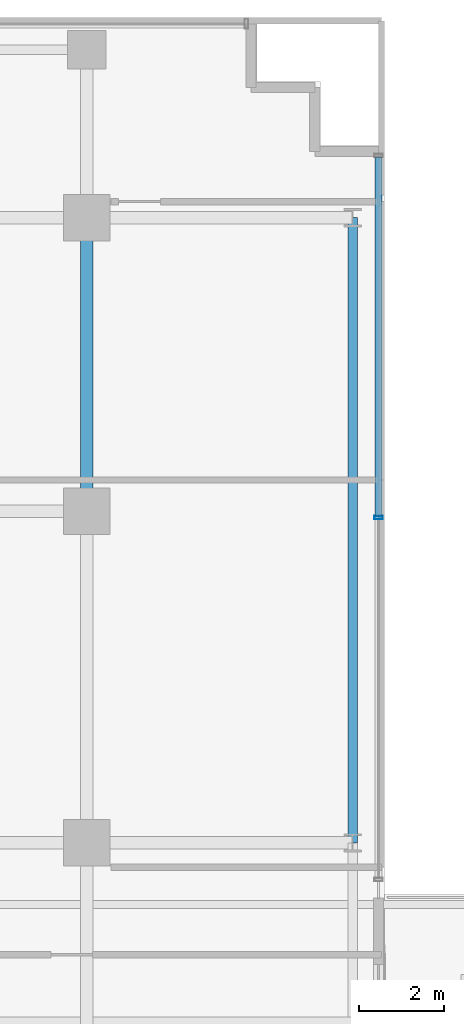
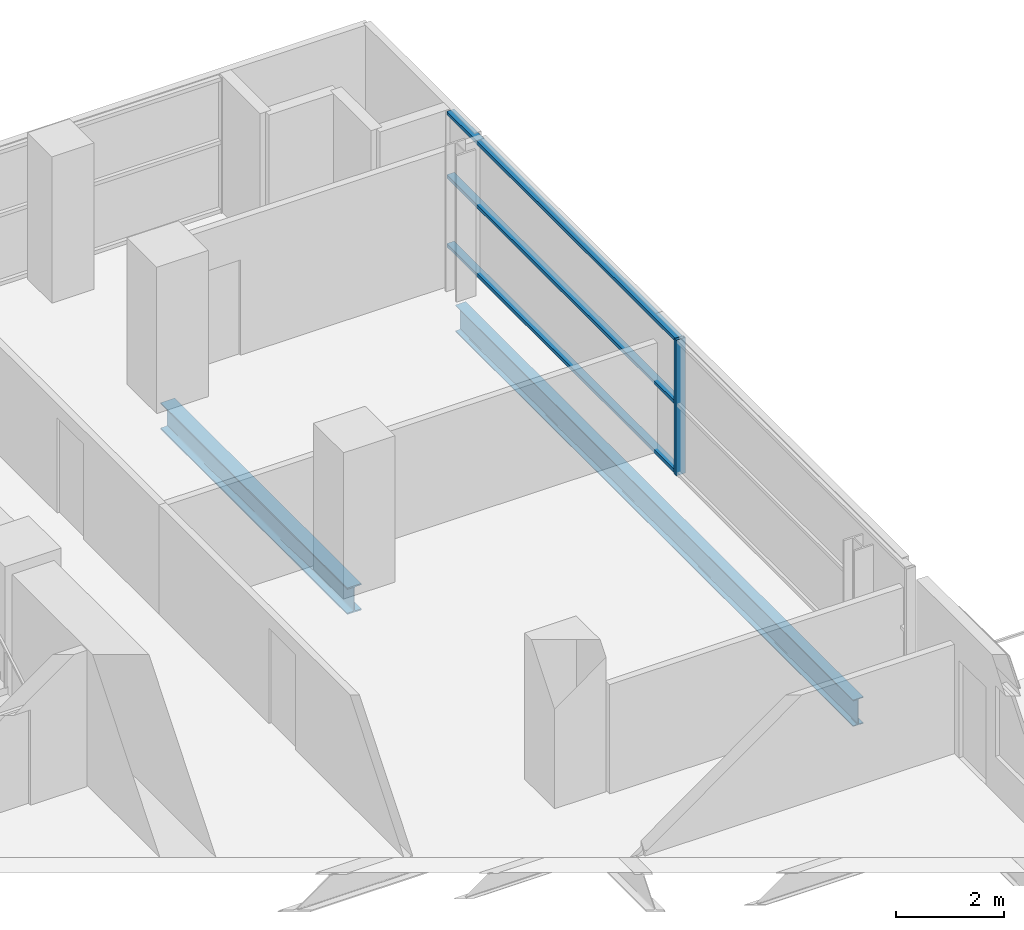
# One storey, part 15 of 29: 4 members, 2 beams, 1 element without a shape of its own.
"""IFC4 building model written with IfcOpenShell, lengths in metres."""

from ifc_helpers import new_model, si_unit, direction, frame, origin, origin_2d, place, context, subcontext, project, spatial, hollow_rectangle, i_section, extrude, source, transform, mapped, material, layer, layer_set, material_profile, profile_set, type_object, element, aggregate, save


model = new_model("IFC4")

# Units and contexts
model_context = context("Model", 3, precision=1e-05, world=origin(), true_north=direction((0.0, 1.0)))
body_context = subcontext(model_context, "Body", "Model", "MODEL_VIEW")
ifc_project = project(units=[si_unit("LENGTHUNIT", "METRE"), si_unit("AREAUNIT", "SQUARE_METRE"), si_unit("VOLUMEUNIT", "CUBIC_METRE"), si_unit("PLANEANGLEUNIT", "RADIAN"), si_unit("MASSUNIT", "GRAM", prefix="KILO")], contexts=[model_context])

# Site, building, storey
site_placement = place(None, origin())
site = spatial("IfcSite", under=ifc_project, at=site_placement, CompositionType="ELEMENT")
building_placement = place(site_placement, origin())
building = spatial("IfcBuilding", under=site, at=building_placement, Name="Zarnakvel Exchange Tower", CompositionType="ELEMENT")
storey_placement = place(building_placement, frame((0.0, 0.0, 37.300048828125)))
storey = spatial("IfcBuildingStorey", under=building, at=storey_placement, Name="L09", CompositionType="ELEMENT", Elevation=37.300048828125)

# Beams
ifc_material_1 = material(Name="Steel S355", Category="steel")
ifc_material_profile_1 = material_profile(ifc_material_1, i_section(OverallWidth=0.300048828125, OverallDepth=0.60009765625, WebThickness=0.015380859375, FlangeThickness=0.030029296875, FilletRadius=0.027099609375, at=origin_2d()))
ifc_profile_set_1 = profile_set([ifc_material_profile_1], Name="Steel S355")
beam_type_1 = type_object("IfcBeamType", Name="G-04", PredefinedType="BEAM", material=ifc_profile_set_1)
beam_1_placement = place(storey_placement, frame((21.60009765625, 6.60009765625, -0.525146484375), z_axis=(0.0, 1.0, 0.0), x_axis=(-1.0, 0.0, 0.0)))
element("IfcBeam", 1, at=beam_1_placement, inside=storey, type_object=beam_type_1, Name="L09 Tower N-S Frame Beam", PredefinedType="BEAM", context=body_context, shape_type="SweptSolid", body=[
    extrude(i_section(OverallWidth=0.300048828125, OverallDepth=0.60009765625, WebThickness=0.015380859375, FlangeThickness=0.030029296875, FilletRadius=0.027099609375, at=origin_2d()), origin(), (0.0, 0.0, 1.0), 6.89990234375),
])
ifc_material_profile_2 = material_profile(ifc_material_1, i_section(OverallWidth=0.219970703125, OverallDepth=0.60009765625, WebThickness=0.011962890625, FlangeThickness=0.01904296875, FilletRadius=0.02392578125, at=origin_2d()))
ifc_profile_set_2 = profile_set([ifc_material_profile_2], Name="Steel S355")
beam_type_2 = type_object("IfcBeamType", Name="SP-01", PredefinedType="SPANDREL", material=ifc_profile_set_2)
beam_2_placement = place(storey_placement, frame((27.85009765625, -1.199951171875, -0.525146484375), z_axis=(0.0, 1.0, 0.0), x_axis=(-1.0, 0.0, 0.0)))
element("IfcBeam", 2, at=beam_2_placement, inside=storey, type_object=beam_type_2, Name="L09 Tower N-S Frame Beam", PredefinedType="SPANDREL", context=body_context, shape_type="SweptSolid", body=[
    extrude(i_section(OverallWidth=0.219970703125, OverallDepth=0.60009765625, WebThickness=0.011962890625, FlangeThickness=0.01904296875, FilletRadius=0.02392578125, at=origin_2d()), origin(), (0.0, 0.0, 1.0), 14.699951171875),
])

# Curtain wall, members
ifc_material_2 = material(Name="Architectural Bronze Anodised Aluminium", Category="aluminium")
ifc_layer = layer(ifc_material_2, 0.199951171875)
ifc_layer_set = layer_set([ifc_layer], Name="Architectural Bronze Anodised Aluminium")
curtain_wall_type = type_object("IfcCurtainWallType", Name="CW-04", PredefinedType="NOTDEFINED", material=ifc_layer_set)
curtain_wall_placement = place(storey_placement, origin())
curtain_wall = element("IfcCurtainWall", 3, at=curtain_wall_placement, inside=storey, type_object=curtain_wall_type, Name="L09 Curtain Wall CW-L09-EN (CW-04)", PredefinedType="NOTDEFINED")
ifc_material_profile_3 = material_profile(ifc_material_2, hollow_rectangle(XDim=0.159912109375, YDim=0.074951171875, WallThickness=0.00390625, at=origin_2d()))
ifc_profile_set_3 = profile_set([ifc_material_profile_3], Name="Architectural Bronze Anodised Aluminium")
member_type_1 = type_object("IfcMemberType", Name="CWT-04", PredefinedType="USERDEFINED", material=ifc_profile_set_3)
shared_shape_1 = source(origin(), body_context, "Body", "SweptSolid", [
    extrude(hollow_rectangle(XDim=0.159912109375, YDim=0.074951171875, WallThickness=0.00390625, at=origin_2d()), origin(), (0.0, 0.0, 1.0), 8.4375),
])
member_1_placement = place(storey_placement, frame((28.4599609375, 6.487548828125, 0.037353515625), z_axis=(0.0, 1.0, 0.0), x_axis=(-1.0, 0.0, 0.0)))
member_1 = element("IfcMember", 4, at=member_1_placement, type_object=member_type_1, Name="CW-04 transom 2.1", ObjectType="TRANSOM", PredefinedType="USERDEFINED", context=body_context, shape_type="MappedRepresentation", body=[
    mapped(shared_shape_1, transform((0.0, 0.0, 0.0), x_axis=(1.0, 0.0, 0.0), y_axis=(0.0, 1.0, 0.0), z_axis=(0.0, 0.0, 1.0), scale=1.0)),
])
member_2_placement = place(storey_placement, frame((28.4599609375, 6.487548828125, 1.588623046875), z_axis=(0.0, 1.0, 0.0), x_axis=(-1.0, 0.0, 0.0)))
member_2 = element("IfcMember", 5, at=member_2_placement, type_object=member_type_1, Name="CW-04 transom 2.2", ObjectType="TRANSOM", PredefinedType="USERDEFINED", context=body_context, shape_type="MappedRepresentation", body=[
    mapped(shared_shape_1, transform((0.0, 0.0, 0.0), x_axis=(1.0, 0.0, 0.0), y_axis=(0.0, 1.0, 0.0), z_axis=(0.0, 0.0, 1.0), scale=1.0)),
])
member_3_placement = place(storey_placement, frame((28.4599609375, 6.487548828125, 3.017333984375), z_axis=(0.0, 1.0, 0.0), x_axis=(-1.0, 0.0, 0.0)))
member_3 = element("IfcMember", 6, at=member_3_placement, type_object=member_type_1, Name="CW-04 transom 2.3", ObjectType="TRANSOM", PredefinedType="USERDEFINED", context=body_context, shape_type="MappedRepresentation", body=[
    mapped(shared_shape_1, transform((0.0, 0.0, 0.0), x_axis=(1.0, 0.0, 0.0), y_axis=(0.0, 1.0, 0.0), z_axis=(0.0, 0.0, 1.0), scale=1.0)),
])
ifc_material_profile_4 = material_profile(ifc_material_2, hollow_rectangle(XDim=0.199951171875, YDim=0.074951171875, WallThickness=0.0048828125, at=origin_2d()))
ifc_profile_set_4 = profile_set([ifc_material_profile_4], Name="Architectural Bronze Anodised Aluminium")
member_type_2 = type_object("IfcMemberType", Name="CWM-04", PredefinedType="MULLION", material=ifc_profile_set_4)
shared_shape_2 = source(origin(), body_context, "Body", "SweptSolid", [
    extrude(hollow_rectangle(XDim=0.199951171875, YDim=0.074951171875, WallThickness=0.0048828125, at=origin_2d()), origin(), (0.0, 0.0, 1.0), 3.054931640625),
])
member_4_placement = place(storey_placement, frame((28.4599609375, 6.449951171875, 0.0), z_axis=(0.0, 0.0, 1.0), x_axis=(-1.0, 0.0, 0.0)))
member_4 = element("IfcMember", 7, at=member_4_placement, type_object=member_type_2, Name="CW-04 mullion 2", PredefinedType="MULLION", context=body_context, shape_type="MappedRepresentation", body=[
    mapped(shared_shape_2, transform((0.0, 0.0, 0.0), x_axis=(1.0, 0.0, 0.0), y_axis=(0.0, 1.0, 0.0), z_axis=(0.0, 0.0, 1.0), scale=1.0)),
])
aggregate(curtain_wall, [member_4, member_1, member_2, member_3])

save(model, "model.ifc")
